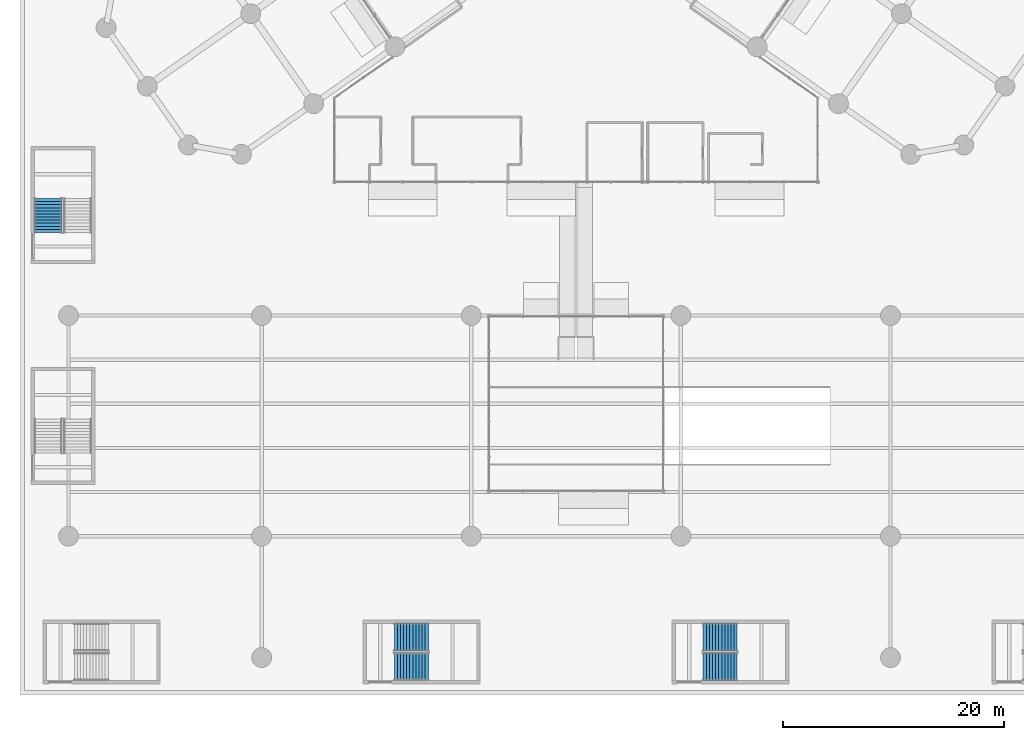
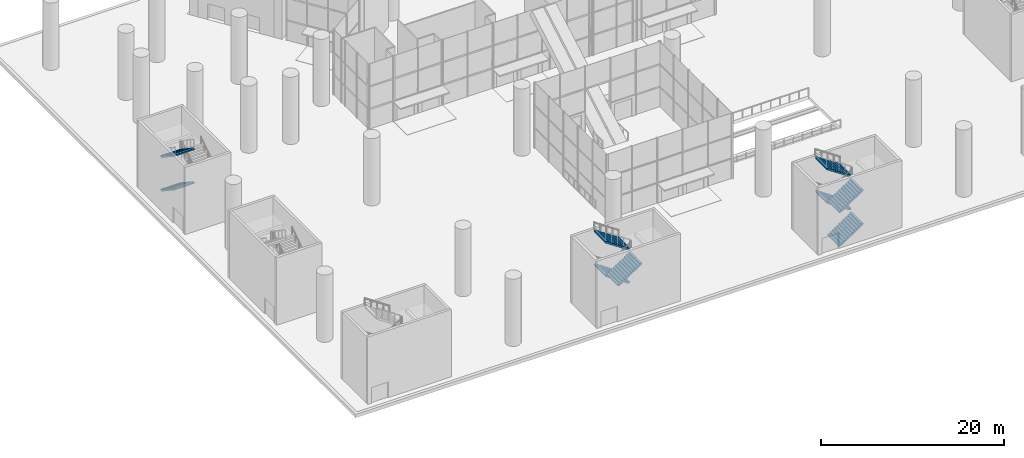
# One storey, part 22 of 37: 9 stair flights, 3 elements without a shape of their own.
"""IFC4 building model written with IfcOpenShell, lengths in metres."""

import ifcopenshell
import ifcopenshell.guid

model = None  # the IFC model being written
_history = None  # IfcOwnerHistory: only IFC2X3 demands one
_inside = {}  # id of a spatial element -> (the spatial element, [elements in it])
_under = {}  # id of a project, library or spatial element -> (it, [spatial elements below it])
_declared = {}  # id of a project -> (the project, [libraries it declares])
_typed = {}  # id of a type object -> (the type object, [elements of that type])
_made_of = {}  # id of a material, layer set ... -> (it, [elements and type objects made of it])


def new_model(schema):
    """Start an empty IFC model of exactly this schema.

    Asked for "IFC4X3", IfcOpenShell would pick the latest addendum, in which some entities
    have other attributes; the version numbers below select the first issue.
    IFC2X3 requires an IfcOwnerHistory on every rooted entity: one is made here for all.
    """
    global model, _history
    if schema == "IFC4X3":
        model = ifcopenshell.file(schema_version=(4, 3, 0, 0))
    else:
        model = ifcopenshell.file(schema=schema)
    _inside.clear()
    _under.clear()
    _declared.clear()
    _typed.clear()
    _made_of.clear()
    _history = None
    if model.schema == "IFC2X3":
        org = make("IfcOrganization", Name="unknown")
        user = make(
            "IfcPersonAndOrganization",
            ThePerson=make("IfcPerson", FamilyName="unknown"),
            TheOrganization=org,
        )
        app = make(
            "IfcApplication",
            ApplicationDeveloper=org,
            Version="unknown",
            ApplicationFullName="unknown",
            ApplicationIdentifier="unknown",
        )
        _history = make(
            "IfcOwnerHistory",
            OwningUser=user,
            OwningApplication=app,
            ChangeAction="ADDED",
            CreationDate=0,
        )
    return model


def make(cls, **values):
    """One entity of the class cls with the attributes given. An attribute that is None is left unset."""
    return model.create_entity(
        cls, **{name: value for name, value in values.items() if value is not None}
    )


def rooted(cls, **values):
    """An entity with a GlobalId (a new one), such as an element, a storey or a relation."""
    return make(cls, GlobalId=ifcopenshell.guid.new(), OwnerHistory=_history, **values)


def si_unit(unit_type, name, prefix=None):
    """IfcSIUnit, for example si_unit("LENGTHUNIT", "METRE", prefix="MILLI")."""
    return make("IfcSIUnit", UnitType=unit_type, Prefix=prefix, Name=name)


def assignment(units):
    """IfcUnitAssignment: the units of a project."""
    return None if units is None else make("IfcUnitAssignment", Units=units)


def point(xyz):
    """IfcCartesianPoint."""
    return None if xyz is None else make("IfcCartesianPoint", Coordinates=xyz)


def direction(xyz):
    """IfcDirection."""
    return None if xyz is None else make("IfcDirection", DirectionRatios=xyz)


def frame(location, z_axis=None, x_axis=None):
    """IfcAxis2Placement3D, a coordinate frame: its origin and axes. An axis left out is left unset."""
    return make(
        "IfcAxis2Placement3D",
        Location=point(location),
        Axis=direction(z_axis),
        RefDirection=direction(x_axis),
    )


def origin():
    """The frame at (0, 0, 0) with its axes left unset."""
    return frame((0.0, 0.0, 0.0))


def place(relative_to, where):
    """IfcLocalPlacement: puts the frame where relative to a parent placement (None: the world)."""
    return make(
        "IfcLocalPlacement", PlacementRelTo=relative_to, RelativePlacement=where
    )


def context(
    kind, dimensions, precision=None, world=None, true_north=None, identifier=None
):
    """IfcGeometricRepresentationContext, for example the 3D "Model" context."""
    return make(
        "IfcGeometricRepresentationContext",
        ContextIdentifier=identifier,
        ContextType=kind,
        CoordinateSpaceDimension=dimensions,
        Precision=precision,
        WorldCoordinateSystem=world,
        TrueNorth=true_north,
    )


def subcontext(parent, identifier, kind, view, scale=None):
    """IfcGeometricRepresentationSubContext, for example "Body" below "Model"."""
    return make(
        "IfcGeometricRepresentationSubContext",
        ContextIdentifier=identifier,
        ContextType=kind,
        ParentContext=parent,
        TargetScale=scale,
        TargetView=view,
    )


def project(units=None, contexts=None):
    """IfcProject with its units and contexts."""
    return rooted(
        "IfcProject",
        Name="project",
        RepresentationContexts=contexts,
        UnitsInContext=assignment(units),
    )


def spatial(cls, under=None, at=None, **own):
    """A site, building, storey or space (cls), placed at a placement, below another one or the project."""
    s = rooted(cls, ObjectPlacement=at, **own)
    if under is not None:
        _under.setdefault(under.id(), (under, []))[1].append(s)
    return s


def polyline(points):
    """IfcPolyline through the points."""
    return make("IfcPolyline", Points=[point(p) for p in points])


def outline(outer, holes=None, kind="AREA"):
    """IfcArbitraryClosedProfileDef: a profile drawn as a closed curve; with holes, ...WithVoids."""
    if holes is None:
        return make("IfcArbitraryClosedProfileDef", ProfileType=kind, OuterCurve=outer)
    return make(
        "IfcArbitraryProfileDefWithVoids",
        ProfileType=kind,
        OuterCurve=outer,
        InnerCurves=holes,
    )


def extrude(swept, where, along, depth):
    """IfcExtrudedAreaSolid: the profile swept, set in the frame where, extruded along a direction by depth."""
    return make(
        "IfcExtrudedAreaSolid",
        SweptArea=swept,
        Position=where,
        ExtrudedDirection=direction(along),
        Depth=depth,
    )


def shape(context_of_items, identifier, shape_type, items):
    """IfcShapeRepresentation: the items that make up one representation, for example the "Body"."""
    return make(
        "IfcShapeRepresentation",
        ContextOfItems=context_of_items,
        RepresentationIdentifier=identifier,
        RepresentationType=shape_type,
        Items=items,
    )


def material(Name=None, Category=None):
    """IfcMaterial."""
    return make("IfcMaterial", Name=Name, Category=Category)


def made_of(thing, what):
    """Note that an element or type object is made of a material, layer set ...; save() writes the relation."""
    if what is not None:
        _made_of.setdefault(what.id(), (what, []))[1].append(thing)
    return thing


def type_object(cls, material=None, **own):
    """A type object (cls), such as IfcWallType, which elements share."""
    return made_of(rooted(cls, **own), material)


def element(
    cls,
    number,
    at=None,
    inside=None,
    cuts=None,
    type_object=None,
    material=None,
    context=None,
    identifier="Body",
    shape_type=None,
    held_by="IfcProductDefinitionShape",
    body=None,
    shapes=None,
    **own,
):
    """One element of the class cls, such as IfcWall. Its Tag is "e" and its number.

    at: its placement. inside: the storey or other place that contains it. cuts: it is an
    opening in that element (IfcRelVoidsElement). A single representation is given by context,
    identifier, shape_type and body (its items); several are given by shapes. held_by: the class
    of the entity that holds the representations. save() writes the other relations.
    """
    e = rooted(cls, Tag="e%d" % number, ObjectPlacement=at, **own)
    if body is not None:
        shapes = [shape(context, identifier, shape_type, body)]
    if shapes is not None:
        e.Representation = make(held_by, Representations=shapes)
    if inside is not None:
        _inside.setdefault(inside.id(), (inside, []))[1].append(e)
    if cuts is not None:
        rooted(
            "IfcRelVoidsElement", RelatingBuildingElement=cuts, RelatedOpeningElement=e
        )
    if type_object is not None:
        _typed.setdefault(type_object.id(), (type_object, []))[1].append(e)
    return made_of(e, material)


def aggregate(whole, parts):
    """IfcRelAggregates: a whole, such as a stair, and the parts it consists of."""
    return rooted("IfcRelAggregates", RelatingObject=whole, RelatedObjects=parts)


def save(model, path):
    """Write the relations noted so far, then the file.

    IfcRelAggregates (storeys below a building ...), IfcRelContainedInSpatialStructure (elements
    in a storey), IfcRelDefinesByType, IfcRelAssociatesMaterial and IfcRelDeclares: one each for
    every whole, place, type object, material and project.
    """
    for whole, parts in _under.values():
        aggregate(whole, parts)
    for where, things in _inside.values():
        rooted(
            "IfcRelContainedInSpatialStructure",
            RelatedElements=things,
            RelatingStructure=where,
        )
    for kind, things in _typed.values():
        rooted("IfcRelDefinesByType", RelatedObjects=things, RelatingType=kind)
    for what, things in _made_of.values():
        rooted("IfcRelAssociatesMaterial", RelatedObjects=things, RelatingMaterial=what)
    for by, libraries in _declared.values():
        rooted("IfcRelDeclares", RelatingContext=by, RelatedDefinitions=libraries)
    model.write(path)


model = new_model("IFC4")

# Units and contexts
model_context = context("Model", 3, precision=1e-05, world=origin(), true_north=direction((0.0, 1.0)))
body_context = subcontext(model_context, "Body", "Model", "MODEL_VIEW")
ifc_project = project(units=[si_unit("LENGTHUNIT", "METRE"), si_unit("AREAUNIT", "SQUARE_METRE"), si_unit("VOLUMEUNIT", "CUBIC_METRE"), si_unit("PLANEANGLEUNIT", "RADIAN"), si_unit("MASSUNIT", "GRAM", prefix="KILO")], contexts=[model_context])

# Site, building, storey
site_placement = place(None, origin())
site = spatial("IfcSite", under=ifc_project, at=site_placement, CompositionType="ELEMENT")
building_placement = place(site_placement, origin())
building = spatial("IfcBuilding", under=site, at=building_placement, Name="Tel Ilan Convention Tower", CompositionType="ELEMENT")
storey_placement = place(building_placement, origin())
storey = spatial("IfcBuildingStorey", under=building, at=storey_placement, Name="L00", CompositionType="ELEMENT", Elevation=0.0)

# Stair, stair flights
ifc_material_1 = material(Name="Concrete C40/50", Category="concrete")
stair_type = type_object("IfcStairType", Name="Pressurised Exit Stair 48 risers 188 mm", PredefinedType="HALF_TURN_STAIR", material=ifc_material_1)
stair_1_placement = place(storey_placement, origin())
stair_1 = element("IfcStair", 1, at=stair_1_placement, inside=storey, type_object=stair_type, Name="L00 Podium Exit Stair P2", PredefinedType="HALF_TURN_STAIR")
ifc_material_2 = material(Name="Precast Concrete C40/50", Category="concrete")
stair_flight_type = type_object("IfcStairFlightType", Name="Concrete Stair Flight 2525 mm 48 risers 188 mm", PredefinedType="STRAIGHT", material=ifc_material_2)
stair_flight_1_placement = place(storey_placement, frame((-13.39501953125, -77.16259765625, 2.25), z_axis=(0.0, 0.0, 1.0), x_axis=(-1.0, 0.0, 0.0)))
stair_flight_1 = element("IfcStairFlight", 2, at=stair_flight_1_placement, type_object=stair_flight_type, Name="P2 flight 2", NumberOfRisers=12, NumberOfTreads=11, PredefinedType="STRAIGHT", RiserHeight=0.1875, TreadLength=0.28, context=body_context, shape_type="SweptSolid", body=[
    extrude(outline(polyline([(0.0, 0.0), (0.0, 0.1875), (0.280029296875, 0.1875), (0.280029296875, 0.375), (0.56005859375, 0.375), (0.56005859375, 0.5625), (0.840087890625, 0.5625), (0.840087890625, 0.75), (1.1201171875, 0.75), (1.1201171875, 0.9375), (1.39990234375, 0.9375), (1.39990234375, 1.125), (1.679931640625, 1.125), (1.679931640625, 1.3125), (1.9599609375, 1.3125), (1.9599609375, 1.5), (2.239990234375, 1.5), (2.239990234375, 1.6875), (2.52001953125, 1.6875), (2.52001953125, 1.875), (2.800048828125, 1.875), (2.800048828125, 2.0625), (3.080078125, 2.0625), (3.080078125, 2.25), (3.080078125, 1.882080078125), (0.26953125, 0.0), (0.0, 0.0)])), frame((0.0, -0.100341796875, 0.0), z_axis=(0.0, -1.0, 0.0), x_axis=(1.0, 0.0, 0.0)), (0.0, 0.0, 1.0), 1.162109375),
    extrude(outline(polyline([(0.0, 0.0), (0.0, 0.1875), (0.280029296875, 0.1875), (0.280029296875, 0.375), (0.56005859375, 0.375), (0.56005859375, 0.5625), (0.840087890625, 0.5625), (0.840087890625, 0.75), (1.1201171875, 0.75), (1.1201171875, 0.9375), (1.39990234375, 0.9375), (1.39990234375, 1.125), (1.679931640625, 1.125), (1.679931640625, 1.3125), (1.9599609375, 1.3125), (1.9599609375, 1.5), (2.239990234375, 1.5), (2.239990234375, 1.6875), (2.52001953125, 1.6875), (2.52001953125, 1.875), (2.800048828125, 1.875), (2.800048828125, 2.0625), (3.080078125, 2.0625), (3.080078125, 2.25), (3.080078125, 1.882080078125), (0.26953125, 0.0), (0.0, 0.0)])), frame((0.0, -0.000244140625, 0.0), z_axis=(0.0, -1.0, 0.0), x_axis=(1.0, 0.0, 0.0)), (0.0, 0.0, 1.0), 0.099609375),
    extrude(outline(polyline([(0.0, 0.0), (0.0, 0.1875), (0.280029296875, 0.1875), (0.280029296875, 0.375), (0.56005859375, 0.375), (0.56005859375, 0.5625), (0.840087890625, 0.5625), (0.840087890625, 0.75), (1.1201171875, 0.75), (1.1201171875, 0.9375), (1.39990234375, 0.9375), (1.39990234375, 1.125), (1.679931640625, 1.125), (1.679931640625, 1.3125), (1.9599609375, 1.3125), (1.9599609375, 1.5), (2.239990234375, 1.5), (2.239990234375, 1.6875), (2.52001953125, 1.6875), (2.52001953125, 1.875), (2.800048828125, 1.875), (2.800048828125, 2.0625), (3.080078125, 2.0625), (3.080078125, 2.25), (3.080078125, 1.882080078125), (0.26953125, 0.0), (0.0, 0.0)])), frame((0.0, 0.099853515625, 0.0), z_axis=(0.0, -1.0, 0.0), x_axis=(1.0, 0.0, 0.0)), (0.0, 0.0, 1.0), 0.099609375),
    extrude(outline(polyline([(0.0, 0.0), (0.0, 0.1875), (0.280029296875, 0.1875), (0.280029296875, 0.375), (0.56005859375, 0.375), (0.56005859375, 0.5625), (0.840087890625, 0.5625), (0.840087890625, 0.75), (1.1201171875, 0.75), (1.1201171875, 0.9375), (1.39990234375, 0.9375), (1.39990234375, 1.125), (1.679931640625, 1.125), (1.679931640625, 1.3125), (1.9599609375, 1.3125), (1.9599609375, 1.5), (2.239990234375, 1.5), (2.239990234375, 1.6875), (2.52001953125, 1.6875), (2.52001953125, 1.875), (2.800048828125, 1.875), (2.800048828125, 2.0625), (3.080078125, 2.0625), (3.080078125, 2.25), (3.080078125, 1.882080078125), (0.26953125, 0.0), (0.0, 0.0)])), frame((0.0, 1.262451171875, 0.0), z_axis=(0.0, -1.0, 0.0), x_axis=(1.0, 0.0, 0.0)), (0.0, 0.0, 1.0), 1.162109375),
])
stair_flight_2_placement = place(storey_placement, frame((-16.47509765625, -79.83740234375, 4.5), z_axis=(0.0, 0.0, 1.0), x_axis=(1.0, 0.0, 0.0)))
stair_flight_2 = element("IfcStairFlight", 3, at=stair_flight_2_placement, type_object=stair_flight_type, Name="P2 flight 3", NumberOfRisers=12, NumberOfTreads=11, PredefinedType="STRAIGHT", RiserHeight=0.1875, TreadLength=0.28, context=body_context, shape_type="SweptSolid", body=[
    extrude(outline(polyline([(0.0, 0.0), (0.0, 0.1875), (0.280029296875, 0.1875), (0.280029296875, 0.375), (0.56005859375, 0.375), (0.56005859375, 0.5625), (0.840087890625, 0.5625), (0.840087890625, 0.75), (1.1201171875, 0.75), (1.1201171875, 0.9375), (1.39990234375, 0.9375), (1.39990234375, 1.125), (1.679931640625, 1.125), (1.679931640625, 1.3125), (1.9599609375, 1.3125), (1.9599609375, 1.5), (2.239990234375, 1.5), (2.239990234375, 1.6875), (2.52001953125, 1.6875), (2.52001953125, 1.875), (2.800048828125, 1.875), (2.800048828125, 2.0625), (3.080078125, 2.0625), (3.080078125, 2.25), (3.080078125, 1.882080078125), (0.26953125, 0.0), (0.0, 0.0)])), frame((0.0, -0.100341796875, 0.0), z_axis=(0.0, -1.0, 0.0), x_axis=(1.0, 0.0, 0.0)), (0.0, 0.0, 1.0), 1.162109375),
    extrude(outline(polyline([(0.0, 0.0), (0.0, 0.1875), (0.280029296875, 0.1875), (0.280029296875, 0.375), (0.56005859375, 0.375), (0.56005859375, 0.5625), (0.840087890625, 0.5625), (0.840087890625, 0.75), (1.1201171875, 0.75), (1.1201171875, 0.9375), (1.39990234375, 0.9375), (1.39990234375, 1.125), (1.679931640625, 1.125), (1.679931640625, 1.3125), (1.9599609375, 1.3125), (1.9599609375, 1.5), (2.239990234375, 1.5), (2.239990234375, 1.6875), (2.52001953125, 1.6875), (2.52001953125, 1.875), (2.800048828125, 1.875), (2.800048828125, 2.0625), (3.080078125, 2.0625), (3.080078125, 2.25), (3.080078125, 1.882080078125), (0.26953125, 0.0), (0.0, 0.0)])), frame((0.0, -0.000244140625, 0.0), z_axis=(0.0, -1.0, 0.0), x_axis=(1.0, 0.0, 0.0)), (0.0, 0.0, 1.0), 0.099609375),
    extrude(outline(polyline([(0.0, 0.0), (0.0, 0.1875), (0.280029296875, 0.1875), (0.280029296875, 0.375), (0.56005859375, 0.375), (0.56005859375, 0.5625), (0.840087890625, 0.5625), (0.840087890625, 0.75), (1.1201171875, 0.75), (1.1201171875, 0.9375), (1.39990234375, 0.9375), (1.39990234375, 1.125), (1.679931640625, 1.125), (1.679931640625, 1.3125), (1.9599609375, 1.3125), (1.9599609375, 1.5), (2.239990234375, 1.5), (2.239990234375, 1.6875), (2.52001953125, 1.6875), (2.52001953125, 1.875), (2.800048828125, 1.875), (2.800048828125, 2.0625), (3.080078125, 2.0625), (3.080078125, 2.25), (3.080078125, 1.882080078125), (0.26953125, 0.0), (0.0, 0.0)])), frame((0.0, 0.099853515625, 0.0), z_axis=(0.0, -1.0, 0.0), x_axis=(1.0, 0.0, 0.0)), (0.0, 0.0, 1.0), 0.099609375),
    extrude(outline(polyline([(0.0, 0.0), (0.0, 0.1875), (0.280029296875, 0.1875), (0.280029296875, 0.375), (0.56005859375, 0.375), (0.56005859375, 0.5625), (0.840087890625, 0.5625), (0.840087890625, 0.75), (1.1201171875, 0.75), (1.1201171875, 0.9375), (1.39990234375, 0.9375), (1.39990234375, 1.125), (1.679931640625, 1.125), (1.679931640625, 1.3125), (1.9599609375, 1.3125), (1.9599609375, 1.5), (2.239990234375, 1.5), (2.239990234375, 1.6875), (2.52001953125, 1.6875), (2.52001953125, 1.875), (2.800048828125, 1.875), (2.800048828125, 2.0625), (3.080078125, 2.0625), (3.080078125, 2.25), (3.080078125, 1.882080078125), (0.26953125, 0.0), (0.0, 0.0)])), frame((0.0, 1.262451171875, 0.0), z_axis=(0.0, -1.0, 0.0), x_axis=(1.0, 0.0, 0.0)), (0.0, 0.0, 1.0), 1.162109375),
])
stair_flight_3_placement = place(storey_placement, frame((-13.39501953125, -77.16259765625, 6.75), z_axis=(0.0, 0.0, 1.0), x_axis=(-1.0, 0.0, 0.0)))
stair_flight_3 = element("IfcStairFlight", 4, at=stair_flight_3_placement, type_object=stair_flight_type, Name="P2 flight 4", NumberOfRisers=12, NumberOfTreads=11, PredefinedType="STRAIGHT", RiserHeight=0.1875, TreadLength=0.28, context=body_context, shape_type="SweptSolid", body=[
    extrude(outline(polyline([(0.0, 0.0), (0.0, 0.1875), (0.280029296875, 0.1875), (0.280029296875, 0.375), (0.56005859375, 0.375), (0.56005859375, 0.5625), (0.840087890625, 0.5625), (0.840087890625, 0.75), (1.1201171875, 0.75), (1.1201171875, 0.9375), (1.39990234375, 0.9375), (1.39990234375, 1.125), (1.679931640625, 1.125), (1.679931640625, 1.3125), (1.9599609375, 1.3125), (1.9599609375, 1.5), (2.239990234375, 1.5), (2.239990234375, 1.6875), (2.52001953125, 1.6875), (2.52001953125, 1.875), (2.800048828125, 1.875), (2.800048828125, 2.0625), (3.080078125, 2.0625), (3.080078125, 2.25), (3.080078125, 1.882080078125), (0.26953125, 0.0), (0.0, 0.0)])), frame((0.0, -0.100341796875, 0.0), z_axis=(0.0, -1.0, 0.0), x_axis=(1.0, 0.0, 0.0)), (0.0, 0.0, 1.0), 1.162109375),
    extrude(outline(polyline([(0.0, 0.0), (0.0, 0.1875), (0.280029296875, 0.1875), (0.280029296875, 0.375), (0.56005859375, 0.375), (0.56005859375, 0.5625), (0.840087890625, 0.5625), (0.840087890625, 0.75), (1.1201171875, 0.75), (1.1201171875, 0.9375), (1.39990234375, 0.9375), (1.39990234375, 1.125), (1.679931640625, 1.125), (1.679931640625, 1.3125), (1.9599609375, 1.3125), (1.9599609375, 1.5), (2.239990234375, 1.5), (2.239990234375, 1.6875), (2.52001953125, 1.6875), (2.52001953125, 1.875), (2.800048828125, 1.875), (2.800048828125, 2.0625), (3.080078125, 2.0625), (3.080078125, 2.25), (3.080078125, 1.882080078125), (0.26953125, 0.0), (0.0, 0.0)])), frame((0.0, -0.000244140625, 0.0), z_axis=(0.0, -1.0, 0.0), x_axis=(1.0, 0.0, 0.0)), (0.0, 0.0, 1.0), 0.099609375),
    extrude(outline(polyline([(0.0, 0.0), (0.0, 0.1875), (0.280029296875, 0.1875), (0.280029296875, 0.375), (0.56005859375, 0.375), (0.56005859375, 0.5625), (0.840087890625, 0.5625), (0.840087890625, 0.75), (1.1201171875, 0.75), (1.1201171875, 0.9375), (1.39990234375, 0.9375), (1.39990234375, 1.125), (1.679931640625, 1.125), (1.679931640625, 1.3125), (1.9599609375, 1.3125), (1.9599609375, 1.5), (2.239990234375, 1.5), (2.239990234375, 1.6875), (2.52001953125, 1.6875), (2.52001953125, 1.875), (2.800048828125, 1.875), (2.800048828125, 2.0625), (3.080078125, 2.0625), (3.080078125, 2.25), (3.080078125, 1.882080078125), (0.26953125, 0.0), (0.0, 0.0)])), frame((0.0, 0.099853515625, 0.0), z_axis=(0.0, -1.0, 0.0), x_axis=(1.0, 0.0, 0.0)), (0.0, 0.0, 1.0), 0.099609375),
    extrude(outline(polyline([(0.0, 0.0), (0.0, 0.1875), (0.280029296875, 0.1875), (0.280029296875, 0.375), (0.56005859375, 0.375), (0.56005859375, 0.5625), (0.840087890625, 0.5625), (0.840087890625, 0.75), (1.1201171875, 0.75), (1.1201171875, 0.9375), (1.39990234375, 0.9375), (1.39990234375, 1.125), (1.679931640625, 1.125), (1.679931640625, 1.3125), (1.9599609375, 1.3125), (1.9599609375, 1.5), (2.239990234375, 1.5), (2.239990234375, 1.6875), (2.52001953125, 1.6875), (2.52001953125, 1.875), (2.800048828125, 1.875), (2.800048828125, 2.0625), (3.080078125, 2.0625), (3.080078125, 2.25), (3.080078125, 1.882080078125), (0.26953125, 0.0), (0.0, 0.0)])), frame((0.0, 1.262451171875, 0.0), z_axis=(0.0, -1.0, 0.0), x_axis=(1.0, 0.0, 0.0)), (0.0, 0.0, 1.0), 1.162109375),
])
aggregate(stair_1, [stair_flight_1, stair_flight_2, stair_flight_3])

stair_2_placement = place(storey_placement, origin())
stair_2 = element("IfcStair", 5, at=stair_2_placement, inside=storey, type_object=stair_type, Name="L00 Podium Exit Stair P3", PredefinedType="HALF_TURN_STAIR")
stair_flight_4_placement = place(storey_placement, frame((11.52490234375, -79.83740234375, 0.0), z_axis=(0.0, 0.0, 1.0), x_axis=(1.0, 0.0, 0.0)))
stair_flight_4 = element("IfcStairFlight", 6, at=stair_flight_4_placement, type_object=stair_flight_type, Name="P3 flight 1", NumberOfRisers=12, NumberOfTreads=11, PredefinedType="STRAIGHT", RiserHeight=0.1875, TreadLength=0.28, context=body_context, shape_type="SweptSolid", body=[
    extrude(outline(polyline([(0.0, 0.0), (0.0, 0.1875), (0.280029296875, 0.1875), (0.280029296875, 0.375), (0.56005859375, 0.375), (0.56005859375, 0.5625), (0.840087890625, 0.5625), (0.840087890625, 0.75), (1.1201171875, 0.75), (1.1201171875, 0.9375), (1.39990234375, 0.9375), (1.39990234375, 1.125), (1.679931640625, 1.125), (1.679931640625, 1.3125), (1.9599609375, 1.3125), (1.9599609375, 1.5), (2.239990234375, 1.5), (2.239990234375, 1.6875), (2.52001953125, 1.6875), (2.52001953125, 1.875), (2.800048828125, 1.875), (2.800048828125, 2.0625), (3.080078125, 2.0625), (3.080078125, 2.25), (3.080078125, 1.882080078125), (0.26953125, 0.0), (0.0, 0.0)])), frame((0.0, -0.100341796875, 0.0), z_axis=(0.0, -1.0, 0.0), x_axis=(1.0, 0.0, 0.0)), (0.0, 0.0, 1.0), 1.162109375),
    extrude(outline(polyline([(0.0, 0.0), (0.0, 0.1875), (0.280029296875, 0.1875), (0.280029296875, 0.375), (0.56005859375, 0.375), (0.56005859375, 0.5625), (0.840087890625, 0.5625), (0.840087890625, 0.75), (1.1201171875, 0.75), (1.1201171875, 0.9375), (1.39990234375, 0.9375), (1.39990234375, 1.125), (1.679931640625, 1.125), (1.679931640625, 1.3125), (1.9599609375, 1.3125), (1.9599609375, 1.5), (2.239990234375, 1.5), (2.239990234375, 1.6875), (2.52001953125, 1.6875), (2.52001953125, 1.875), (2.800048828125, 1.875), (2.800048828125, 2.0625), (3.080078125, 2.0625), (3.080078125, 2.25), (3.080078125, 1.882080078125), (0.26953125, 0.0), (0.0, 0.0)])), frame((0.0, -0.000244140625, 0.0), z_axis=(0.0, -1.0, 0.0), x_axis=(1.0, 0.0, 0.0)), (0.0, 0.0, 1.0), 0.099609375),
    extrude(outline(polyline([(0.0, 0.0), (0.0, 0.1875), (0.280029296875, 0.1875), (0.280029296875, 0.375), (0.56005859375, 0.375), (0.56005859375, 0.5625), (0.840087890625, 0.5625), (0.840087890625, 0.75), (1.1201171875, 0.75), (1.1201171875, 0.9375), (1.39990234375, 0.9375), (1.39990234375, 1.125), (1.679931640625, 1.125), (1.679931640625, 1.3125), (1.9599609375, 1.3125), (1.9599609375, 1.5), (2.239990234375, 1.5), (2.239990234375, 1.6875), (2.52001953125, 1.6875), (2.52001953125, 1.875), (2.800048828125, 1.875), (2.800048828125, 2.0625), (3.080078125, 2.0625), (3.080078125, 2.25), (3.080078125, 1.882080078125), (0.26953125, 0.0), (0.0, 0.0)])), frame((0.0, 0.099853515625, 0.0), z_axis=(0.0, -1.0, 0.0), x_axis=(1.0, 0.0, 0.0)), (0.0, 0.0, 1.0), 0.099609375),
    extrude(outline(polyline([(0.0, 0.0), (0.0, 0.1875), (0.280029296875, 0.1875), (0.280029296875, 0.375), (0.56005859375, 0.375), (0.56005859375, 0.5625), (0.840087890625, 0.5625), (0.840087890625, 0.75), (1.1201171875, 0.75), (1.1201171875, 0.9375), (1.39990234375, 0.9375), (1.39990234375, 1.125), (1.679931640625, 1.125), (1.679931640625, 1.3125), (1.9599609375, 1.3125), (1.9599609375, 1.5), (2.239990234375, 1.5), (2.239990234375, 1.6875), (2.52001953125, 1.6875), (2.52001953125, 1.875), (2.800048828125, 1.875), (2.800048828125, 2.0625), (3.080078125, 2.0625), (3.080078125, 2.25), (3.080078125, 1.882080078125), (0.26953125, 0.0), (0.0, 0.0)])), frame((0.0, 1.262451171875, 0.0), z_axis=(0.0, -1.0, 0.0), x_axis=(1.0, 0.0, 0.0)), (0.0, 0.0, 1.0), 1.162109375),
])
stair_flight_5_placement = place(storey_placement, frame((14.60498046875, -77.16259765625, 2.25), z_axis=(0.0, 0.0, 1.0), x_axis=(-1.0, 0.0, 0.0)))
stair_flight_5 = element("IfcStairFlight", 7, at=stair_flight_5_placement, type_object=stair_flight_type, Name="P3 flight 2", NumberOfRisers=12, NumberOfTreads=11, PredefinedType="STRAIGHT", RiserHeight=0.1875, TreadLength=0.28, context=body_context, shape_type="SweptSolid", body=[
    extrude(outline(polyline([(0.0, 0.0), (0.0, 0.1875), (0.280029296875, 0.1875), (0.280029296875, 0.375), (0.56005859375, 0.375), (0.56005859375, 0.5625), (0.840087890625, 0.5625), (0.840087890625, 0.75), (1.1201171875, 0.75), (1.1201171875, 0.9375), (1.39990234375, 0.9375), (1.39990234375, 1.125), (1.679931640625, 1.125), (1.679931640625, 1.3125), (1.9599609375, 1.3125), (1.9599609375, 1.5), (2.239990234375, 1.5), (2.239990234375, 1.6875), (2.52001953125, 1.6875), (2.52001953125, 1.875), (2.800048828125, 1.875), (2.800048828125, 2.0625), (3.080078125, 2.0625), (3.080078125, 2.25), (3.080078125, 1.882080078125), (0.26953125, 0.0), (0.0, 0.0)])), frame((0.0, -0.100341796875, 0.0), z_axis=(0.0, -1.0, 0.0), x_axis=(1.0, 0.0, 0.0)), (0.0, 0.0, 1.0), 1.162109375),
    extrude(outline(polyline([(0.0, 0.0), (0.0, 0.1875), (0.280029296875, 0.1875), (0.280029296875, 0.375), (0.56005859375, 0.375), (0.56005859375, 0.5625), (0.840087890625, 0.5625), (0.840087890625, 0.75), (1.1201171875, 0.75), (1.1201171875, 0.9375), (1.39990234375, 0.9375), (1.39990234375, 1.125), (1.679931640625, 1.125), (1.679931640625, 1.3125), (1.9599609375, 1.3125), (1.9599609375, 1.5), (2.239990234375, 1.5), (2.239990234375, 1.6875), (2.52001953125, 1.6875), (2.52001953125, 1.875), (2.800048828125, 1.875), (2.800048828125, 2.0625), (3.080078125, 2.0625), (3.080078125, 2.25), (3.080078125, 1.882080078125), (0.26953125, 0.0), (0.0, 0.0)])), frame((0.0, -0.000244140625, 0.0), z_axis=(0.0, -1.0, 0.0), x_axis=(1.0, 0.0, 0.0)), (0.0, 0.0, 1.0), 0.099609375),
    extrude(outline(polyline([(0.0, 0.0), (0.0, 0.1875), (0.280029296875, 0.1875), (0.280029296875, 0.375), (0.56005859375, 0.375), (0.56005859375, 0.5625), (0.840087890625, 0.5625), (0.840087890625, 0.75), (1.1201171875, 0.75), (1.1201171875, 0.9375), (1.39990234375, 0.9375), (1.39990234375, 1.125), (1.679931640625, 1.125), (1.679931640625, 1.3125), (1.9599609375, 1.3125), (1.9599609375, 1.5), (2.239990234375, 1.5), (2.239990234375, 1.6875), (2.52001953125, 1.6875), (2.52001953125, 1.875), (2.800048828125, 1.875), (2.800048828125, 2.0625), (3.080078125, 2.0625), (3.080078125, 2.25), (3.080078125, 1.882080078125), (0.26953125, 0.0), (0.0, 0.0)])), frame((0.0, 0.099853515625, 0.0), z_axis=(0.0, -1.0, 0.0), x_axis=(1.0, 0.0, 0.0)), (0.0, 0.0, 1.0), 0.099609375),
    extrude(outline(polyline([(0.0, 0.0), (0.0, 0.1875), (0.280029296875, 0.1875), (0.280029296875, 0.375), (0.56005859375, 0.375), (0.56005859375, 0.5625), (0.840087890625, 0.5625), (0.840087890625, 0.75), (1.1201171875, 0.75), (1.1201171875, 0.9375), (1.39990234375, 0.9375), (1.39990234375, 1.125), (1.679931640625, 1.125), (1.679931640625, 1.3125), (1.9599609375, 1.3125), (1.9599609375, 1.5), (2.239990234375, 1.5), (2.239990234375, 1.6875), (2.52001953125, 1.6875), (2.52001953125, 1.875), (2.800048828125, 1.875), (2.800048828125, 2.0625), (3.080078125, 2.0625), (3.080078125, 2.25), (3.080078125, 1.882080078125), (0.26953125, 0.0), (0.0, 0.0)])), frame((0.0, 1.262451171875, 0.0), z_axis=(0.0, -1.0, 0.0), x_axis=(1.0, 0.0, 0.0)), (0.0, 0.0, 1.0), 1.162109375),
])
stair_flight_6_placement = place(storey_placement, frame((11.52490234375, -79.83740234375, 4.5), z_axis=(0.0, 0.0, 1.0), x_axis=(1.0, 0.0, 0.0)))
stair_flight_6 = element("IfcStairFlight", 8, at=stair_flight_6_placement, type_object=stair_flight_type, Name="P3 flight 3", NumberOfRisers=12, NumberOfTreads=11, PredefinedType="STRAIGHT", RiserHeight=0.1875, TreadLength=0.28, context=body_context, shape_type="SweptSolid", body=[
    extrude(outline(polyline([(0.0, 0.0), (0.0, 0.1875), (0.280029296875, 0.1875), (0.280029296875, 0.375), (0.56005859375, 0.375), (0.56005859375, 0.5625), (0.840087890625, 0.5625), (0.840087890625, 0.75), (1.1201171875, 0.75), (1.1201171875, 0.9375), (1.39990234375, 0.9375), (1.39990234375, 1.125), (1.679931640625, 1.125), (1.679931640625, 1.3125), (1.9599609375, 1.3125), (1.9599609375, 1.5), (2.239990234375, 1.5), (2.239990234375, 1.6875), (2.52001953125, 1.6875), (2.52001953125, 1.875), (2.800048828125, 1.875), (2.800048828125, 2.0625), (3.080078125, 2.0625), (3.080078125, 2.25), (3.080078125, 1.882080078125), (0.26953125, 0.0), (0.0, 0.0)])), frame((0.0, -0.100341796875, 0.0), z_axis=(0.0, -1.0, 0.0), x_axis=(1.0, 0.0, 0.0)), (0.0, 0.0, 1.0), 1.162109375),
    extrude(outline(polyline([(0.0, 0.0), (0.0, 0.1875), (0.280029296875, 0.1875), (0.280029296875, 0.375), (0.56005859375, 0.375), (0.56005859375, 0.5625), (0.840087890625, 0.5625), (0.840087890625, 0.75), (1.1201171875, 0.75), (1.1201171875, 0.9375), (1.39990234375, 0.9375), (1.39990234375, 1.125), (1.679931640625, 1.125), (1.679931640625, 1.3125), (1.9599609375, 1.3125), (1.9599609375, 1.5), (2.239990234375, 1.5), (2.239990234375, 1.6875), (2.52001953125, 1.6875), (2.52001953125, 1.875), (2.800048828125, 1.875), (2.800048828125, 2.0625), (3.080078125, 2.0625), (3.080078125, 2.25), (3.080078125, 1.882080078125), (0.26953125, 0.0), (0.0, 0.0)])), frame((0.0, -0.000244140625, 0.0), z_axis=(0.0, -1.0, 0.0), x_axis=(1.0, 0.0, 0.0)), (0.0, 0.0, 1.0), 0.099609375),
    extrude(outline(polyline([(0.0, 0.0), (0.0, 0.1875), (0.280029296875, 0.1875), (0.280029296875, 0.375), (0.56005859375, 0.375), (0.56005859375, 0.5625), (0.840087890625, 0.5625), (0.840087890625, 0.75), (1.1201171875, 0.75), (1.1201171875, 0.9375), (1.39990234375, 0.9375), (1.39990234375, 1.125), (1.679931640625, 1.125), (1.679931640625, 1.3125), (1.9599609375, 1.3125), (1.9599609375, 1.5), (2.239990234375, 1.5), (2.239990234375, 1.6875), (2.52001953125, 1.6875), (2.52001953125, 1.875), (2.800048828125, 1.875), (2.800048828125, 2.0625), (3.080078125, 2.0625), (3.080078125, 2.25), (3.080078125, 1.882080078125), (0.26953125, 0.0), (0.0, 0.0)])), frame((0.0, 0.099853515625, 0.0), z_axis=(0.0, -1.0, 0.0), x_axis=(1.0, 0.0, 0.0)), (0.0, 0.0, 1.0), 0.099609375),
    extrude(outline(polyline([(0.0, 0.0), (0.0, 0.1875), (0.280029296875, 0.1875), (0.280029296875, 0.375), (0.56005859375, 0.375), (0.56005859375, 0.5625), (0.840087890625, 0.5625), (0.840087890625, 0.75), (1.1201171875, 0.75), (1.1201171875, 0.9375), (1.39990234375, 0.9375), (1.39990234375, 1.125), (1.679931640625, 1.125), (1.679931640625, 1.3125), (1.9599609375, 1.3125), (1.9599609375, 1.5), (2.239990234375, 1.5), (2.239990234375, 1.6875), (2.52001953125, 1.6875), (2.52001953125, 1.875), (2.800048828125, 1.875), (2.800048828125, 2.0625), (3.080078125, 2.0625), (3.080078125, 2.25), (3.080078125, 1.882080078125), (0.26953125, 0.0), (0.0, 0.0)])), frame((0.0, 1.262451171875, 0.0), z_axis=(0.0, -1.0, 0.0), x_axis=(1.0, 0.0, 0.0)), (0.0, 0.0, 1.0), 1.162109375),
])
stair_flight_7_placement = place(storey_placement, frame((14.60498046875, -77.16259765625, 6.75), z_axis=(0.0, 0.0, 1.0), x_axis=(-1.0, 0.0, 0.0)))
stair_flight_7 = element("IfcStairFlight", 9, at=stair_flight_7_placement, type_object=stair_flight_type, Name="P3 flight 4", NumberOfRisers=12, NumberOfTreads=11, PredefinedType="STRAIGHT", RiserHeight=0.1875, TreadLength=0.28, context=body_context, shape_type="SweptSolid", body=[
    extrude(outline(polyline([(0.0, 0.0), (0.0, 0.1875), (0.280029296875, 0.1875), (0.280029296875, 0.375), (0.56005859375, 0.375), (0.56005859375, 0.5625), (0.840087890625, 0.5625), (0.840087890625, 0.75), (1.1201171875, 0.75), (1.1201171875, 0.9375), (1.39990234375, 0.9375), (1.39990234375, 1.125), (1.679931640625, 1.125), (1.679931640625, 1.3125), (1.9599609375, 1.3125), (1.9599609375, 1.5), (2.239990234375, 1.5), (2.239990234375, 1.6875), (2.52001953125, 1.6875), (2.52001953125, 1.875), (2.800048828125, 1.875), (2.800048828125, 2.0625), (3.080078125, 2.0625), (3.080078125, 2.25), (3.080078125, 1.882080078125), (0.26953125, 0.0), (0.0, 0.0)])), frame((0.0, -0.100341796875, 0.0), z_axis=(0.0, -1.0, 0.0), x_axis=(1.0, 0.0, 0.0)), (0.0, 0.0, 1.0), 1.162109375),
    extrude(outline(polyline([(0.0, 0.0), (0.0, 0.1875), (0.280029296875, 0.1875), (0.280029296875, 0.375), (0.56005859375, 0.375), (0.56005859375, 0.5625), (0.840087890625, 0.5625), (0.840087890625, 0.75), (1.1201171875, 0.75), (1.1201171875, 0.9375), (1.39990234375, 0.9375), (1.39990234375, 1.125), (1.679931640625, 1.125), (1.679931640625, 1.3125), (1.9599609375, 1.3125), (1.9599609375, 1.5), (2.239990234375, 1.5), (2.239990234375, 1.6875), (2.52001953125, 1.6875), (2.52001953125, 1.875), (2.800048828125, 1.875), (2.800048828125, 2.0625), (3.080078125, 2.0625), (3.080078125, 2.25), (3.080078125, 1.882080078125), (0.26953125, 0.0), (0.0, 0.0)])), frame((0.0, -0.000244140625, 0.0), z_axis=(0.0, -1.0, 0.0), x_axis=(1.0, 0.0, 0.0)), (0.0, 0.0, 1.0), 0.099609375),
    extrude(outline(polyline([(0.0, 0.0), (0.0, 0.1875), (0.280029296875, 0.1875), (0.280029296875, 0.375), (0.56005859375, 0.375), (0.56005859375, 0.5625), (0.840087890625, 0.5625), (0.840087890625, 0.75), (1.1201171875, 0.75), (1.1201171875, 0.9375), (1.39990234375, 0.9375), (1.39990234375, 1.125), (1.679931640625, 1.125), (1.679931640625, 1.3125), (1.9599609375, 1.3125), (1.9599609375, 1.5), (2.239990234375, 1.5), (2.239990234375, 1.6875), (2.52001953125, 1.6875), (2.52001953125, 1.875), (2.800048828125, 1.875), (2.800048828125, 2.0625), (3.080078125, 2.0625), (3.080078125, 2.25), (3.080078125, 1.882080078125), (0.26953125, 0.0), (0.0, 0.0)])), frame((0.0, 0.099853515625, 0.0), z_axis=(0.0, -1.0, 0.0), x_axis=(1.0, 0.0, 0.0)), (0.0, 0.0, 1.0), 0.099609375),
    extrude(outline(polyline([(0.0, 0.0), (0.0, 0.1875), (0.280029296875, 0.1875), (0.280029296875, 0.375), (0.56005859375, 0.375), (0.56005859375, 0.5625), (0.840087890625, 0.5625), (0.840087890625, 0.75), (1.1201171875, 0.75), (1.1201171875, 0.9375), (1.39990234375, 0.9375), (1.39990234375, 1.125), (1.679931640625, 1.125), (1.679931640625, 1.3125), (1.9599609375, 1.3125), (1.9599609375, 1.5), (2.239990234375, 1.5), (2.239990234375, 1.6875), (2.52001953125, 1.6875), (2.52001953125, 1.875), (2.800048828125, 1.875), (2.800048828125, 2.0625), (3.080078125, 2.0625), (3.080078125, 2.25), (3.080078125, 1.882080078125), (0.26953125, 0.0), (0.0, 0.0)])), frame((0.0, 1.262451171875, 0.0), z_axis=(0.0, -1.0, 0.0), x_axis=(1.0, 0.0, 0.0)), (0.0, 0.0, 1.0), 1.162109375),
])
aggregate(stair_2, [stair_flight_4, stair_flight_5, stair_flight_6, stair_flight_7])

stair_3_placement = place(storey_placement, origin())
stair_3 = element("IfcStair", 10, at=stair_3_placement, inside=storey, type_object=stair_type, Name="L00 Podium Exit Stair P7", PredefinedType="HALF_TURN_STAIR")
stair_flight_8_placement = place(storey_placement, frame((-47.83740234375, -37.39501953125, 2.25), z_axis=(0.0, 0.0, 1.0), x_axis=(0.0, -1.0, 0.0)))
stair_flight_8 = element("IfcStairFlight", 11, at=stair_flight_8_placement, type_object=stair_flight_type, Name="P7 flight 2", NumberOfRisers=12, NumberOfTreads=11, PredefinedType="STRAIGHT", RiserHeight=0.1875, TreadLength=0.28, context=body_context, shape_type="SweptSolid", body=[
    extrude(outline(polyline([(0.0, 0.0), (0.0, 0.1875), (0.280029296875, 0.1875), (0.280029296875, 0.375), (0.56005859375, 0.375), (0.56005859375, 0.5625), (0.840087890625, 0.5625), (0.840087890625, 0.75), (1.1201171875, 0.75), (1.1201171875, 0.9375), (1.39990234375, 0.9375), (1.39990234375, 1.125), (1.679931640625, 1.125), (1.679931640625, 1.3125), (1.9599609375, 1.3125), (1.9599609375, 1.5), (2.239990234375, 1.5), (2.239990234375, 1.6875), (2.52001953125, 1.6875), (2.52001953125, 1.875), (2.800048828125, 1.875), (2.800048828125, 2.0625), (3.080078125, 2.0625), (3.080078125, 2.25), (3.080078125, 1.882080078125), (0.26953125, 0.0), (0.0, 0.0)])), frame((0.0, -0.100341796875, 0.0), z_axis=(0.0, -1.0, 0.0), x_axis=(1.0, 0.0, 0.0)), (0.0, 0.0, 1.0), 1.162109375),
    extrude(outline(polyline([(0.0, 0.0), (0.0, 0.1875), (0.280029296875, 0.1875), (0.280029296875, 0.375), (0.56005859375, 0.375), (0.56005859375, 0.5625), (0.840087890625, 0.5625), (0.840087890625, 0.75), (1.1201171875, 0.75), (1.1201171875, 0.9375), (1.39990234375, 0.9375), (1.39990234375, 1.125), (1.679931640625, 1.125), (1.679931640625, 1.3125), (1.9599609375, 1.3125), (1.9599609375, 1.5), (2.239990234375, 1.5), (2.239990234375, 1.6875), (2.52001953125, 1.6875), (2.52001953125, 1.875), (2.800048828125, 1.875), (2.800048828125, 2.0625), (3.080078125, 2.0625), (3.080078125, 2.25), (3.080078125, 1.882080078125), (0.26953125, 0.0), (0.0, 0.0)])), frame((0.0, -0.000244140625, 0.0), z_axis=(0.0, -1.0, 0.0), x_axis=(1.0, 0.0, 0.0)), (0.0, 0.0, 1.0), 0.099609375),
    extrude(outline(polyline([(0.0, 0.0), (0.0, 0.1875), (0.280029296875, 0.1875), (0.280029296875, 0.375), (0.56005859375, 0.375), (0.56005859375, 0.5625), (0.840087890625, 0.5625), (0.840087890625, 0.75), (1.1201171875, 0.75), (1.1201171875, 0.9375), (1.39990234375, 0.9375), (1.39990234375, 1.125), (1.679931640625, 1.125), (1.679931640625, 1.3125), (1.9599609375, 1.3125), (1.9599609375, 1.5), (2.239990234375, 1.5), (2.239990234375, 1.6875), (2.52001953125, 1.6875), (2.52001953125, 1.875), (2.800048828125, 1.875), (2.800048828125, 2.0625), (3.080078125, 2.0625), (3.080078125, 2.25), (3.080078125, 1.882080078125), (0.26953125, 0.0), (0.0, 0.0)])), frame((0.0, 0.099853515625, 0.0), z_axis=(0.0, -1.0, 0.0), x_axis=(1.0, 0.0, 0.0)), (0.0, 0.0, 1.0), 0.099609375),
    extrude(outline(polyline([(0.0, 0.0), (0.0, 0.1875), (0.280029296875, 0.1875), (0.280029296875, 0.375), (0.56005859375, 0.375), (0.56005859375, 0.5625), (0.840087890625, 0.5625), (0.840087890625, 0.75), (1.1201171875, 0.75), (1.1201171875, 0.9375), (1.39990234375, 0.9375), (1.39990234375, 1.125), (1.679931640625, 1.125), (1.679931640625, 1.3125), (1.9599609375, 1.3125), (1.9599609375, 1.5), (2.239990234375, 1.5), (2.239990234375, 1.6875), (2.52001953125, 1.6875), (2.52001953125, 1.875), (2.800048828125, 1.875), (2.800048828125, 2.0625), (3.080078125, 2.0625), (3.080078125, 2.25), (3.080078125, 1.882080078125), (0.26953125, 0.0), (0.0, 0.0)])), frame((0.0, 1.262451171875, 0.0), z_axis=(0.0, -1.0, 0.0), x_axis=(1.0, 0.0, 0.0)), (0.0, 0.0, 1.0), 1.162109375),
])
stair_flight_9_placement = place(storey_placement, frame((-47.83740234375, -37.39501953125, 6.75), z_axis=(0.0, 0.0, 1.0), x_axis=(0.0, -1.0, 0.0)))
stair_flight_9 = element("IfcStairFlight", 12, at=stair_flight_9_placement, type_object=stair_flight_type, Name="P7 flight 4", NumberOfRisers=12, NumberOfTreads=11, PredefinedType="STRAIGHT", RiserHeight=0.1875, TreadLength=0.28, context=body_context, shape_type="SweptSolid", body=[
    extrude(outline(polyline([(0.0, 0.0), (0.0, 0.1875), (0.280029296875, 0.1875), (0.280029296875, 0.375), (0.56005859375, 0.375), (0.56005859375, 0.5625), (0.840087890625, 0.5625), (0.840087890625, 0.75), (1.1201171875, 0.75), (1.1201171875, 0.9375), (1.39990234375, 0.9375), (1.39990234375, 1.125), (1.679931640625, 1.125), (1.679931640625, 1.3125), (1.9599609375, 1.3125), (1.9599609375, 1.5), (2.239990234375, 1.5), (2.239990234375, 1.6875), (2.52001953125, 1.6875), (2.52001953125, 1.875), (2.800048828125, 1.875), (2.800048828125, 2.0625), (3.080078125, 2.0625), (3.080078125, 2.25), (3.080078125, 1.882080078125), (0.26953125, 0.0), (0.0, 0.0)])), frame((0.0, -0.100341796875, 0.0), z_axis=(0.0, -1.0, 0.0), x_axis=(1.0, 0.0, 0.0)), (0.0, 0.0, 1.0), 1.162109375),
    extrude(outline(polyline([(0.0, 0.0), (0.0, 0.1875), (0.280029296875, 0.1875), (0.280029296875, 0.375), (0.56005859375, 0.375), (0.56005859375, 0.5625), (0.840087890625, 0.5625), (0.840087890625, 0.75), (1.1201171875, 0.75), (1.1201171875, 0.9375), (1.39990234375, 0.9375), (1.39990234375, 1.125), (1.679931640625, 1.125), (1.679931640625, 1.3125), (1.9599609375, 1.3125), (1.9599609375, 1.5), (2.239990234375, 1.5), (2.239990234375, 1.6875), (2.52001953125, 1.6875), (2.52001953125, 1.875), (2.800048828125, 1.875), (2.800048828125, 2.0625), (3.080078125, 2.0625), (3.080078125, 2.25), (3.080078125, 1.882080078125), (0.26953125, 0.0), (0.0, 0.0)])), frame((0.0, -0.000244140625, 0.0), z_axis=(0.0, -1.0, 0.0), x_axis=(1.0, 0.0, 0.0)), (0.0, 0.0, 1.0), 0.099609375),
    extrude(outline(polyline([(0.0, 0.0), (0.0, 0.1875), (0.280029296875, 0.1875), (0.280029296875, 0.375), (0.56005859375, 0.375), (0.56005859375, 0.5625), (0.840087890625, 0.5625), (0.840087890625, 0.75), (1.1201171875, 0.75), (1.1201171875, 0.9375), (1.39990234375, 0.9375), (1.39990234375, 1.125), (1.679931640625, 1.125), (1.679931640625, 1.3125), (1.9599609375, 1.3125), (1.9599609375, 1.5), (2.239990234375, 1.5), (2.239990234375, 1.6875), (2.52001953125, 1.6875), (2.52001953125, 1.875), (2.800048828125, 1.875), (2.800048828125, 2.0625), (3.080078125, 2.0625), (3.080078125, 2.25), (3.080078125, 1.882080078125), (0.26953125, 0.0), (0.0, 0.0)])), frame((0.0, 0.099853515625, 0.0), z_axis=(0.0, -1.0, 0.0), x_axis=(1.0, 0.0, 0.0)), (0.0, 0.0, 1.0), 0.099609375),
    extrude(outline(polyline([(0.0, 0.0), (0.0, 0.1875), (0.280029296875, 0.1875), (0.280029296875, 0.375), (0.56005859375, 0.375), (0.56005859375, 0.5625), (0.840087890625, 0.5625), (0.840087890625, 0.75), (1.1201171875, 0.75), (1.1201171875, 0.9375), (1.39990234375, 0.9375), (1.39990234375, 1.125), (1.679931640625, 1.125), (1.679931640625, 1.3125), (1.9599609375, 1.3125), (1.9599609375, 1.5), (2.239990234375, 1.5), (2.239990234375, 1.6875), (2.52001953125, 1.6875), (2.52001953125, 1.875), (2.800048828125, 1.875), (2.800048828125, 2.0625), (3.080078125, 2.0625), (3.080078125, 2.25), (3.080078125, 1.882080078125), (0.26953125, 0.0), (0.0, 0.0)])), frame((0.0, 1.262451171875, 0.0), z_axis=(0.0, -1.0, 0.0), x_axis=(1.0, 0.0, 0.0)), (0.0, 0.0, 1.0), 1.162109375),
])
aggregate(stair_3, [stair_flight_8, stair_flight_9])

save(model, "model.ifc")
